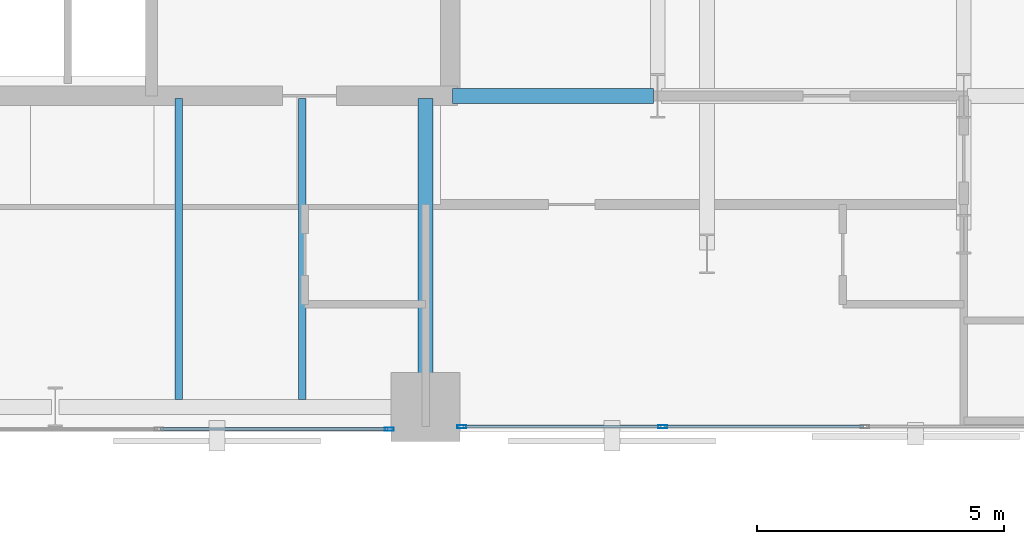
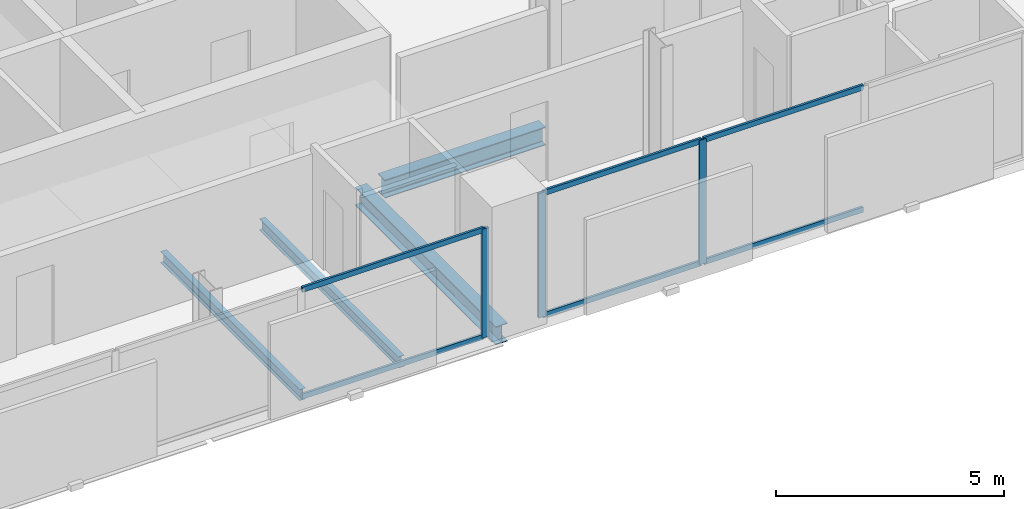
# One storey, part 15 of 32: 9 members, 4 beams, 2 elements without a shape of their own.
"""IFC4 building model written with IfcOpenShell, lengths in metres."""

from ifc_helpers import new_model, si_unit, direction, frame, origin, origin_2d, place, context, subcontext, project, spatial, hollow_rectangle, i_section, extrude, material, layer, layer_set, material_profile, profile_set, type_object, element, aggregate, save


model = new_model("IFC4")

# Units and contexts
model_context = context("Model", 3, precision=1e-05, world=origin(), true_north=direction((0.0, 1.0)))
body_context = subcontext(model_context, "Body", "Model", "MODEL_VIEW")
ifc_project = project(units=[si_unit("LENGTHUNIT", "METRE"), si_unit("AREAUNIT", "SQUARE_METRE"), si_unit("VOLUMEUNIT", "CUBIC_METRE"), si_unit("PLANEANGLEUNIT", "RADIAN"), si_unit("MASSUNIT", "GRAM", prefix="KILO")], contexts=[model_context])

# Site, building, storey
site_placement = place(None, origin())
site = spatial("IfcSite", under=ifc_project, at=site_placement, CompositionType="ELEMENT")
building_placement = place(site_placement, origin())
building = spatial("IfcBuilding", under=site, at=building_placement, Name="Catumbela Crestline Tower", CompositionType="ELEMENT")
storey_placement = place(building_placement, frame((0.0, 0.0, 69.0)))
storey = spatial("IfcBuildingStorey", under=building, at=storey_placement, Name="L17", CompositionType="ELEMENT", Elevation=69.0)

# Beams
ifc_material_1 = material(Name="Structural steel S355J2", Category="steel")
ifc_material_profile_1 = material_profile(ifc_material_1, i_section(OverallWidth=0.3, OverallDepth=0.49, WebThickness=0.012, FlangeThickness=0.023, FilletRadius=0.027, at=origin_2d()), Name="HEA 500")
ifc_profile_set_1 = profile_set([ifc_material_profile_1], Name="Structural steel S355J2")
beam_type_1 = type_object("IfcBeamType", Name="BG-HEA500", PredefinedType="BEAM", material=ifc_profile_set_1)
beam_1_placement = place(storey_placement, frame((40.05, 30.8, -0.505), z_axis=(1.0, 0.0, 0.0), x_axis=(0.0, 1.0, 0.0)))
element("IfcBeam", 1, at=beam_1_placement, inside=storey, type_object=beam_type_1, Name="L17 Beam BM-L17-M10", PredefinedType="BEAM", context=body_context, shape_type="SweptSolid", body=[
    extrude(i_section(OverallWidth=0.3, OverallDepth=0.49, WebThickness=0.012, FlangeThickness=0.023, FilletRadius=0.027, at=origin_2d()), origin(), (0.0, 0.0, 1.0), 4.07),
])
beam_2_placement = place(storey_placement, frame((39.5, 24.58, -0.505), z_axis=(0.0, 1.0, 0.0), x_axis=(-1.0, 0.0, 0.0)))
element("IfcBeam", 2, at=beam_2_placement, inside=storey, type_object=beam_type_1, Name="L17 Beam BM-L17-SNS34", PredefinedType="BEAM", context=body_context, shape_type="SweptSolid", body=[
    extrude(i_section(OverallWidth=0.3, OverallDepth=0.49, WebThickness=0.012, FlangeThickness=0.023, FilletRadius=0.027, at=origin_2d()), origin(), (0.0, 0.0, 1.0), 6.17),
])
ifc_material_profile_2 = material_profile(ifc_material_1, i_section(OverallWidth=0.15, OverallDepth=0.3, WebThickness=0.0071, FlangeThickness=0.0107, FilletRadius=0.015, at=origin_2d()), Name="IPE 300")
ifc_profile_set_2 = profile_set([ifc_material_profile_2], Name="Structural steel S355J2")
beam_type_2 = type_object("IfcBeamType", Name="BJ-IPE300", PredefinedType="JOIST", material=ifc_profile_set_2)
for number, where, z_axis, x_axis, name in (
    (3, (34.5, 24.647, -0.41), (0.0, 1.0, 0.0), (-1.0, 0.0, 0.0), "L17 Joist JS-L17-SP46"),
    (4, (37.0, 24.647, -0.41), (0.0, 1.0, 0.0), (-1.0, 0.0, 0.0), "L17 Joist JS-L17-SP47"),
):
    element("IfcBeam", number, at=place(storey_placement, frame(where, z_axis=z_axis, x_axis=x_axis)), inside=storey, type_object=beam_type_2, Name=name, PredefinedType="JOIST", context=body_context, shape_type="SweptSolid", body=[
        extrude(i_section(OverallWidth=0.15, OverallDepth=0.3, WebThickness=0.0071, FlangeThickness=0.0107, FilletRadius=0.015, at=origin_2d()), origin(), (0.0, 0.0, 1.0), 6.103),
    ])

# Curtain wall, member
ifc_material_2 = material(Name="Aluminium alloy AW-6060-T66", Category="aluminium")
ifc_layer = layer(ifc_material_2, 0.18, Name="Aluminium alloy AW-6060-T66")
ifc_layer_set = layer_set([ifc_layer], Name="Aluminium alloy AW-6060-T66")
curtain_wall_type = type_object("IfcCurtainWallType", Name="CWU-Z1", PredefinedType="USERDEFINED", material=ifc_layer_set)
curtain_wall_1_placement = place(storey_placement, origin())
curtain_wall_1 = element("IfcCurtainWall", 5, at=curtain_wall_1_placement, inside=storey, type_object=curtain_wall_type, Name="L17 Unitised Curtain Wall CW-L17-E3S1", ObjectType="UNITISED", PredefinedType="USERDEFINED")
ifc_material_profile_3 = material_profile(ifc_material_2, hollow_rectangle(XDim=0.065, YDim=0.18, WallThickness=0.004, at=origin_2d()), Name="ALU 180x65x4")
ifc_profile_set_3 = profile_set([ifc_material_profile_3], Name="Aluminium alloy AW-6060-T66")
member_type_1 = type_object("IfcMemberType", Name="MUL-180X65", PredefinedType="MULLION", material=ifc_profile_set_3)
member_1_placement = place(storey_placement, frame((38.7675, 24.05, 0.0), z_axis=(0.0, 0.0, 1.0), x_axis=(0.0, 1.0, 0.0)))
member_1 = element("IfcMember", 6, at=member_1_placement, type_object=member_type_1, Name="CWU-Z1 mullion 4", PredefinedType="MULLION", context=body_context, shape_type="SweptSolid", body=[
    extrude(hollow_rectangle(XDim=0.065, YDim=0.18, WallThickness=0.004, at=origin_2d()), origin(), (0.0, 0.0, 1.0), 2.92),
])

# Curtain wall, members
curtain_wall_2_placement = place(storey_placement, origin())
curtain_wall_2 = element("IfcCurtainWall", 7, at=curtain_wall_2_placement, inside=storey, type_object=curtain_wall_type, Name="L17 Unitised Curtain Wall CW-L17-E3S2", ObjectType="UNITISED", PredefinedType="USERDEFINED")
member_2_placement = place(storey_placement, frame((40.2325, 24.1, 0.0), z_axis=(0.0, 0.0, 1.0), x_axis=(0.0, 1.0, 0.0)))
member_2 = element("IfcMember", 8, at=member_2_placement, type_object=member_type_1, Name="CWU-Z1 mullion 1", PredefinedType="MULLION", context=body_context, shape_type="SweptSolid", body=[
    extrude(hollow_rectangle(XDim=0.065, YDim=0.18, WallThickness=0.004, at=origin_2d()), origin(), (0.0, 0.0, 1.0), 3.33),
])
member_3_placement = place(storey_placement, frame((44.3, 24.1, 0.0), z_axis=(0.0, 0.0, 1.0), x_axis=(0.0, 1.0, 0.0)))
member_3 = element("IfcMember", 9, at=member_3_placement, type_object=member_type_1, Name="CWU-Z1 mullion 2", PredefinedType="MULLION", context=body_context, shape_type="SweptSolid", body=[
    extrude(hollow_rectangle(XDim=0.065, YDim=0.18, WallThickness=0.004, at=origin_2d()), origin(), (0.0, 0.0, 1.0), 3.33),
])

# Member
ifc_material_profile_4 = material_profile(ifc_material_2, hollow_rectangle(XDim=0.06, YDim=0.14, WallThickness=0.004, at=origin_2d()), Name="ALU 140x60x4")
ifc_profile_set_4 = profile_set([ifc_material_profile_4], Name="Aluminium alloy AW-6060-T66")
member_type_2 = type_object("IfcMemberType", Name="TRN-140X60", PredefinedType="USERDEFINED", material=ifc_profile_set_4)
member_4_placement = place(storey_placement, frame((34.1325, 24.05, 0.03), z_axis=(1.0, 0.0, 0.0), x_axis=(0.0, 1.0, 0.0)))
member_4 = element("IfcMember", 10, at=member_4_placement, type_object=member_type_2, Name="CWU-Z1 transom 3.1", ObjectType="TRANSOM", PredefinedType="USERDEFINED", context=body_context, shape_type="SweptSolid", body=[
    extrude(hollow_rectangle(XDim=0.06, YDim=0.14, WallThickness=0.004, at=origin_2d()), origin(), (0.0, 0.0, 1.0), 4.6025),
])

member_5_placement = place(storey_placement, frame((34.1325, 24.05, 2.89), z_axis=(1.0, 0.0, 0.0), x_axis=(0.0, 1.0, 0.0)))
member_5 = element("IfcMember", 11, at=member_5_placement, type_object=member_type_2, Name="CWU-Z1 transom 3.2", ObjectType="TRANSOM", PredefinedType="USERDEFINED", context=body_context, shape_type="SweptSolid", body=[
    extrude(hollow_rectangle(XDim=0.06, YDim=0.14, WallThickness=0.004, at=origin_2d()), origin(), (0.0, 0.0, 1.0), 4.6025),
])

aggregate(curtain_wall_1, [member_1, member_4, member_5])

member_6_placement = place(storey_placement, frame((40.265, 24.1, 0.03), z_axis=(1.0, 0.0, 0.0), x_axis=(0.0, 1.0, 0.0)))
member_6 = element("IfcMember", 12, at=member_6_placement, type_object=member_type_2, Name="CWU-Z1 transom 1.1", ObjectType="TRANSOM", PredefinedType="USERDEFINED", context=body_context, shape_type="SweptSolid", body=[
    extrude(hollow_rectangle(XDim=0.06, YDim=0.14, WallThickness=0.004, at=origin_2d()), origin(), (0.0, 0.0, 1.0), 4.0025),
])

member_7_placement = place(storey_placement, frame((40.265, 24.1, 3.3), z_axis=(1.0, 0.0, 0.0), x_axis=(0.0, 1.0, 0.0)))
member_7 = element("IfcMember", 13, at=member_7_placement, type_object=member_type_2, Name="CWU-Z1 transom 1.2", ObjectType="TRANSOM", PredefinedType="USERDEFINED", context=body_context, shape_type="SweptSolid", body=[
    extrude(hollow_rectangle(XDim=0.06, YDim=0.14, WallThickness=0.004, at=origin_2d()), origin(), (0.0, 0.0, 1.0), 4.0025),
])

member_8_placement = place(storey_placement, frame((44.3325, 24.1, 0.03), z_axis=(1.0, 0.0, 0.0), x_axis=(0.0, 1.0, 0.0)))
member_8 = element("IfcMember", 14, at=member_8_placement, type_object=member_type_2, Name="CWU-Z1 transom 2.1", ObjectType="TRANSOM", PredefinedType="USERDEFINED", context=body_context, shape_type="SweptSolid", body=[
    extrude(hollow_rectangle(XDim=0.06, YDim=0.14, WallThickness=0.004, at=origin_2d()), origin(), (0.0, 0.0, 1.0), 4.035),
])

member_9_placement = place(storey_placement, frame((44.3325, 24.1, 3.3), z_axis=(1.0, 0.0, 0.0), x_axis=(0.0, 1.0, 0.0)))
member_9 = element("IfcMember", 15, at=member_9_placement, type_object=member_type_2, Name="CWU-Z1 transom 2.2", ObjectType="TRANSOM", PredefinedType="USERDEFINED", context=body_context, shape_type="SweptSolid", body=[
    extrude(hollow_rectangle(XDim=0.06, YDim=0.14, WallThickness=0.004, at=origin_2d()), origin(), (0.0, 0.0, 1.0), 4.035),
])

aggregate(curtain_wall_2, [member_2, member_3, member_6, member_7, member_8, member_9])

save(model, "model.ifc")
